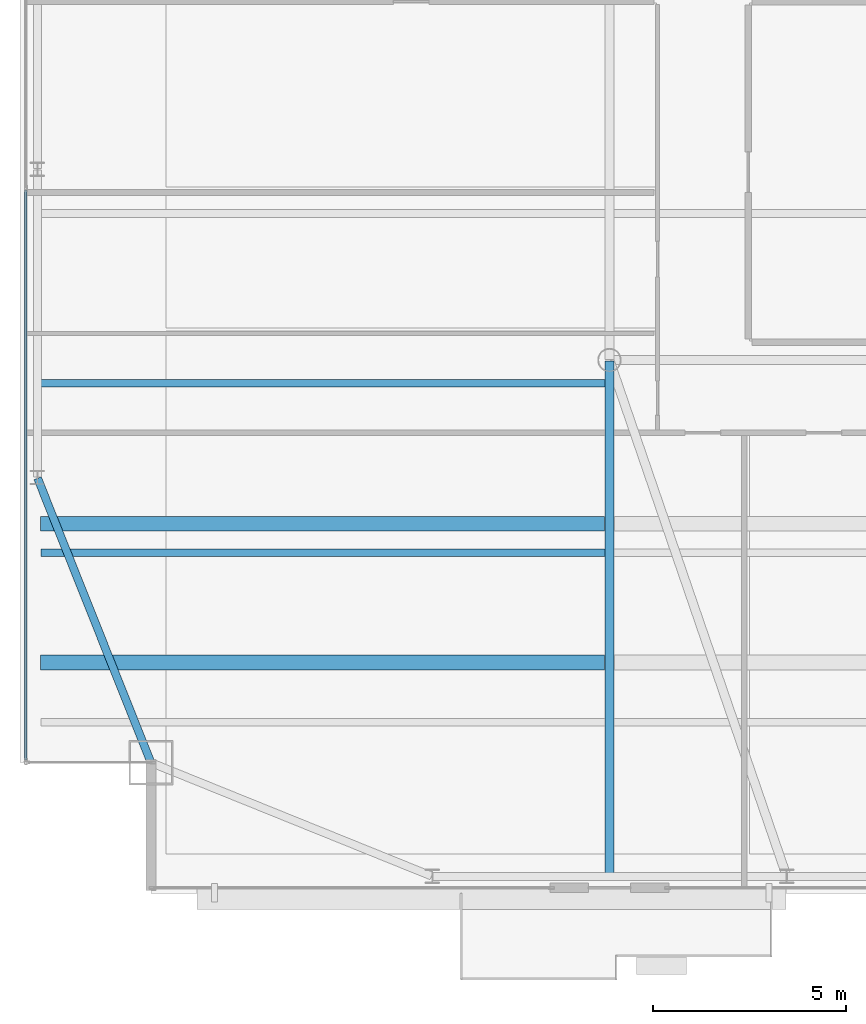
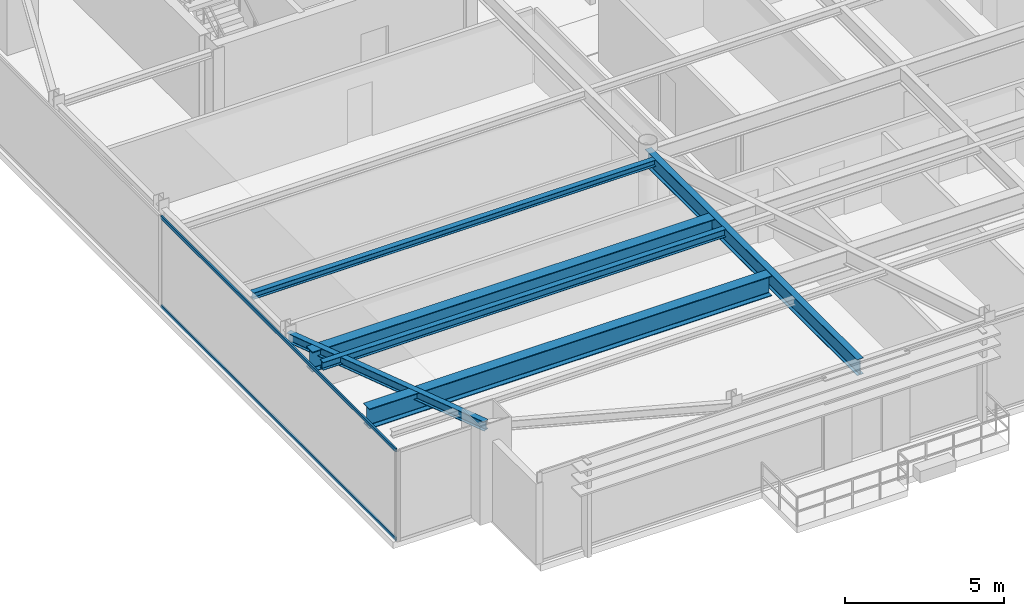
# One storey, part 7 of 28: 6 beams, 2 members, 1 element without a shape of its own.
"""IFC4 building model written with IfcOpenShell, lengths in metres."""

from ifc_helpers import new_model, si_unit, direction, frame, origin, origin_2d, place, context, subcontext, project, spatial, hollow_rectangle, i_section, extrude, source, transform, mapped, material, layer, layer_set, material_profile, profile_set, type_object, type_shapes, element, aggregate, save


model = new_model("IFC4")

# Units and contexts
model_context = context("Model", 3, precision=1e-05, world=origin(), true_north=direction((0.0, 1.0)))
body_context = subcontext(model_context, "Body", "Model", "MODEL_VIEW")
ifc_project = project(units=[si_unit("LENGTHUNIT", "METRE"), si_unit("AREAUNIT", "SQUARE_METRE"), si_unit("VOLUMEUNIT", "CUBIC_METRE"), si_unit("PLANEANGLEUNIT", "RADIAN"), si_unit("MASSUNIT", "GRAM", prefix="KILO")], contexts=[model_context])

# Site, building, storey
site_placement = place(None, origin())
site = spatial("IfcSite", under=ifc_project, at=site_placement, CompositionType="ELEMENT")
building_placement = place(site_placement, origin())
building = spatial("IfcBuilding", under=site, at=building_placement, Name="Varnel Quay Broadcast Tower", CompositionType="ELEMENT")
storey_placement = place(building_placement, frame((0.0, 0.0, 230.199951171875)))
storey = spatial("IfcBuildingStorey", under=building, at=storey_placement, Name="L57", CompositionType="ELEMENT", Elevation=230.199951171875)

# Beams
ifc_material_1 = material(Name="Structural Steel CSA G40.21 350W", Category="steel")
ifc_material_profile_1 = material_profile(ifc_material_1, i_section(OverallWidth=0.205078125, OverallDepth=0.35400390625, WebThickness=0.009521484375, FlangeThickness=0.016845703125, FilletRadius=0.012939453125, at=origin_2d()), Name="W360X79")
ifc_profile_set_1 = profile_set([ifc_material_profile_1], Name="Structural Steel CSA G40.21 350W")
beam_type_1 = type_object("IfcBeamType", Name="Beam_W360X79", PredefinedType="SPANDREL", material=ifc_profile_set_1)
shared_shape_1 = source(origin(), body_context, "Body", "SweptSolid", [
    extrude(i_section(OverallWidth=0.205078125, OverallDepth=0.35400390625, WebThickness=0.009521484375, FlangeThickness=0.016845703125, FilletRadius=0.012939453125, at=origin_2d()), origin(), (0.0, 0.0, 1.0), 7.92626953125),
])
type_shapes(beam_type_1, [shared_shape_1])
beam_1_placement = place(storey_placement, frame((12.892578125, 13.61865234375, 3.302978515625), z_axis=(-0.370296431883, 0.928913641053, 0.0), x_axis=(-0.928913641053, -0.370296431883, 0.0)))
element("IfcBeam", 1, at=beam_1_placement, inside=storey, type_object=beam_type_1, Name="L57 West Spandrel MC-SW-TC-W1", PredefinedType="SPANDREL", context=body_context, shape_type="MappedRepresentation", body=[
    mapped(shared_shape_1, transform((0.0, 0.0, 0.0), x_axis=(1.0, 0.0, 0.0), y_axis=(0.0, 1.0, 0.0), z_axis=(0.0, 0.0, 1.0), scale=1.0)),
])
ifc_material_profile_2 = material_profile(ifc_material_1, i_section(OverallWidth=0.22998046875, OverallDepth=0.616943359375, WebThickness=0.01318359375, FlangeThickness=0.022216796875, FilletRadius=0.01611328125, at=origin_2d()), Name="W610X140")
ifc_profile_set_2 = profile_set([ifc_material_profile_2], Name="Structural Steel CSA G40.21 350W")
beam_type_2 = type_object("IfcBeamType", Name="Girder_W610X140", PredefinedType="BEAM", material=ifc_profile_set_2)
shared_shape_2 = source(origin(), body_context, "Body", "SweptSolid", [
    extrude(i_section(OverallWidth=0.22998046875, OverallDepth=0.616943359375, WebThickness=0.01318359375, FlangeThickness=0.022216796875, FilletRadius=0.01611328125, at=origin_2d()), origin(), (0.0, 0.0, 1.0), 13.360107421875),
])
type_shapes(beam_type_2, [shared_shape_2])
beam_2_placement = place(storey_placement, frame((24.800048828125, 10.669921875, 3.171630859375), z_axis=(0.0, 1.0, 0.0), x_axis=(-1.0, 0.0, 0.0)))
element("IfcBeam", 2, at=beam_2_placement, inside=storey, type_object=beam_type_2, Name="L57 N-S Joist Header IC-01S", PredefinedType="BEAM", context=body_context, shape_type="MappedRepresentation", body=[
    mapped(shared_shape_2, transform((0.0, 0.0, 0.0), x_axis=(1.0, 0.0, 0.0), y_axis=(0.0, 1.0, 0.0), z_axis=(0.0, 0.0, 1.0), scale=1.0)),
])
ifc_material_profile_3 = material_profile(ifc_material_1, i_section(OverallWidth=0.201904296875, OverallDepth=0.2470703125, WebThickness=0.00732421875, FlangeThickness=0.010986328125, FilletRadius=0.010986328125, at=origin_2d()), Name="W250X49")
ifc_profile_set_3 = profile_set([ifc_material_profile_3], Name="Structural Steel CSA G40.21 350W")
beam_type_3 = type_object("IfcBeamType", Name="Beam_W250X49", PredefinedType="JOIST", material=ifc_profile_set_3)
shared_shape_3 = source(origin(), body_context, "Body", "SweptSolid", [
    extrude(i_section(OverallWidth=0.201904296875, OverallDepth=0.2470703125, WebThickness=0.00732421875, FlangeThickness=0.010986328125, FilletRadius=0.010986328125, at=origin_2d()), origin(), (0.0, 0.0, 1.0), 14.642333984375),
])
type_shapes(beam_type_3, [shared_shape_3])
beam_3_placement = place(storey_placement, frame((10.047607421875, 23.449951171875, 3.3564453125), z_axis=(1.0, 0.0, 0.0), x_axis=(0.0, 1.0, 0.0)))
element("IfcBeam", 3, at=beam_3_placement, inside=storey, type_object=beam_type_3, Name="L57 West Floor Joist 3", PredefinedType="JOIST", context=body_context, shape_type="MappedRepresentation", body=[
    mapped(shared_shape_3, transform((0.0, 0.0, 0.0), x_axis=(1.0, 0.0, 0.0), y_axis=(0.0, 1.0, 0.0), z_axis=(0.0, 0.0, 1.0), scale=1.0)),
])
ifc_material_profile_4 = material_profile(ifc_material_1, i_section(OverallWidth=0.202880859375, OverallDepth=0.302978515625, WebThickness=0.007568359375, FlangeThickness=0.01318359375, FilletRadius=0.011962890625, at=origin_2d()), Name="W310X60")
ifc_profile_set_4 = profile_set([ifc_material_profile_4], Name="Structural Steel CSA G40.21 350W")
beam_type_4 = type_object("IfcBeamType", Name="Beam_W310X60", PredefinedType="JOIST", material=ifc_profile_set_4)
shared_shape_4 = source(origin(), body_context, "Body", "SweptSolid", [
    extrude(i_section(OverallWidth=0.202880859375, OverallDepth=0.302978515625, WebThickness=0.007568359375, FlangeThickness=0.01318359375, FilletRadius=0.011962890625, at=origin_2d()), origin(), (0.0, 0.0, 1.0), 14.642333984375),
])
type_shapes(beam_type_4, [shared_shape_4])
beam_4_placement = place(storey_placement, frame((10.047607421875, 19.050048828125, 3.32861328125), z_axis=(1.0, 0.0, 0.0), x_axis=(0.0, 1.0, 0.0)))
element("IfcBeam", 4, at=beam_4_placement, inside=storey, type_object=beam_type_4, Name="L57 West Floor Joist 2", PredefinedType="JOIST", context=body_context, shape_type="MappedRepresentation", body=[
    mapped(shared_shape_4, transform((0.0, 0.0, 0.0), x_axis=(1.0, 0.0, 0.0), y_axis=(0.0, 1.0, 0.0), z_axis=(0.0, 0.0, 1.0), scale=1.0)),
])
ifc_material_profile_5 = material_profile(ifc_material_1, i_section(OverallWidth=0.381103515625, OverallDepth=0.77294921875, WebThickness=0.0166015625, FlangeThickness=0.027587890625, FilletRadius=0.01806640625, at=origin_2d()), Name="W760X257")
ifc_profile_set_5 = profile_set([ifc_material_profile_5], Name="Structural Steel CSA G40.21 350W")
beam_type_5 = type_object("IfcBeamType", Name="Girder_W760X257", PredefinedType="BEAM", material=ifc_profile_set_5)
shared_shape_5 = source(origin(), body_context, "Body", "SweptSolid", [
    extrude(i_section(OverallWidth=0.381103515625, OverallDepth=0.77294921875, WebThickness=0.0166015625, FlangeThickness=0.027587890625, FilletRadius=0.01806640625, at=origin_2d()), origin(), (0.0, 0.0, 1.0), 14.639892578125),
])
type_shapes(beam_type_5, [shared_shape_5])
for number, where, z_axis, x_axis, name in (
    (5, (10.030029296875, 16.199951171875, 3.093505859375), (1.0, 0.0, 0.0), (0.0, 1.0, 0.0), "L57 Turbine Cradle Support Girder S-W"),
    (6, (10.030029296875, 19.800048828125, 3.093505859375), (1.0, 0.0, 0.0), (0.0, 1.0, 0.0), "L57 Turbine Cradle Support Girder N-W"),
):
    element("IfcBeam", number, at=place(storey_placement, frame(where, z_axis=z_axis, x_axis=x_axis)), inside=storey, type_object=beam_type_5, Name=name, PredefinedType="BEAM", context=body_context, shape_type="MappedRepresentation", body=[
        mapped(shared_shape_5, transform((0.0, 0.0, 0.0), x_axis=(1.0, 0.0, 0.0), y_axis=(0.0, 1.0, 0.0), z_axis=(0.0, 0.0, 1.0), scale=1.0)),
    ])

# Curtain wall, members
ifc_material_2 = material(Name="Anodised Bronze Aluminium 6063-T6", Category="aluminium")
ifc_layer = layer(ifc_material_2, 0.18994140625, Name="Anodised Bronze Aluminium 6063-T6")
ifc_layer_set = layer_set([ifc_layer], Name="Anodised Bronze Aluminium 6063-T6")
curtain_wall_type = type_object("IfcCurtainWallType", Name="CW_UpperTower", PredefinedType="NOTDEFINED", material=ifc_layer_set)
curtain_wall_placement = place(storey_placement, origin())
curtain_wall = element("IfcCurtainWall", 7, at=curtain_wall_placement, inside=storey, type_object=curtain_wall_type, Name="L57 West Unitised Curtain Wall", PredefinedType="NOTDEFINED")
ifc_material_profile_6 = material_profile(ifc_material_2, hollow_rectangle(XDim=0.06005859375, YDim=0.125, WallThickness=0.0029296875, at=origin_2d()), Name="ALU60X125X3")
ifc_profile_set_6 = profile_set([ifc_material_profile_6], Name="Anodised Bronze Aluminium 6063-T6")
member_type = type_object("IfcMemberType", Name="Tran_CWS-03", PredefinedType="USERDEFINED", material=ifc_profile_set_6)
shared_shape_6 = source(origin(), body_context, "Body", "SweptSolid", [
    extrude(hollow_rectangle(XDim=0.06005859375, YDim=0.125, WallThickness=0.0029296875, at=origin_2d()), origin(), (0.0, 0.0, 1.0), 14.802490234375),
])
type_shapes(member_type, [shared_shape_6])
member_1_placement = place(storey_placement, frame((9.64990234375, 13.6650390625, 0.030029296875), z_axis=(0.0, 1.0, 0.0), x_axis=(-1.0, 0.0, 0.0)))
member_1 = element("IfcMember", 8, at=member_1_placement, type_object=member_type, Name="CWS-03 transom 1.1", ObjectType="TRANSOM", PredefinedType="USERDEFINED", context=body_context, shape_type="MappedRepresentation", body=[
    mapped(shared_shape_6, transform((0.0, 0.0, 0.0), x_axis=(1.0, 0.0, 0.0), y_axis=(0.0, 1.0, 0.0), z_axis=(0.0, 0.0, 1.0), scale=1.0)),
])
member_2_placement = place(storey_placement, frame((9.64990234375, 13.6650390625, 3.449951171875), z_axis=(0.0, 1.0, 0.0), x_axis=(-1.0, 0.0, 0.0)))
member_2 = element("IfcMember", 9, at=member_2_placement, type_object=member_type, Name="CWS-03 transom 1.2", ObjectType="TRANSOM", PredefinedType="USERDEFINED", context=body_context, shape_type="MappedRepresentation", body=[
    mapped(shared_shape_6, transform((0.0, 0.0, 0.0), x_axis=(1.0, 0.0, 0.0), y_axis=(0.0, 1.0, 0.0), z_axis=(0.0, 0.0, 1.0), scale=1.0)),
])
aggregate(curtain_wall, [member_1, member_2])

save(model, "model.ifc")
